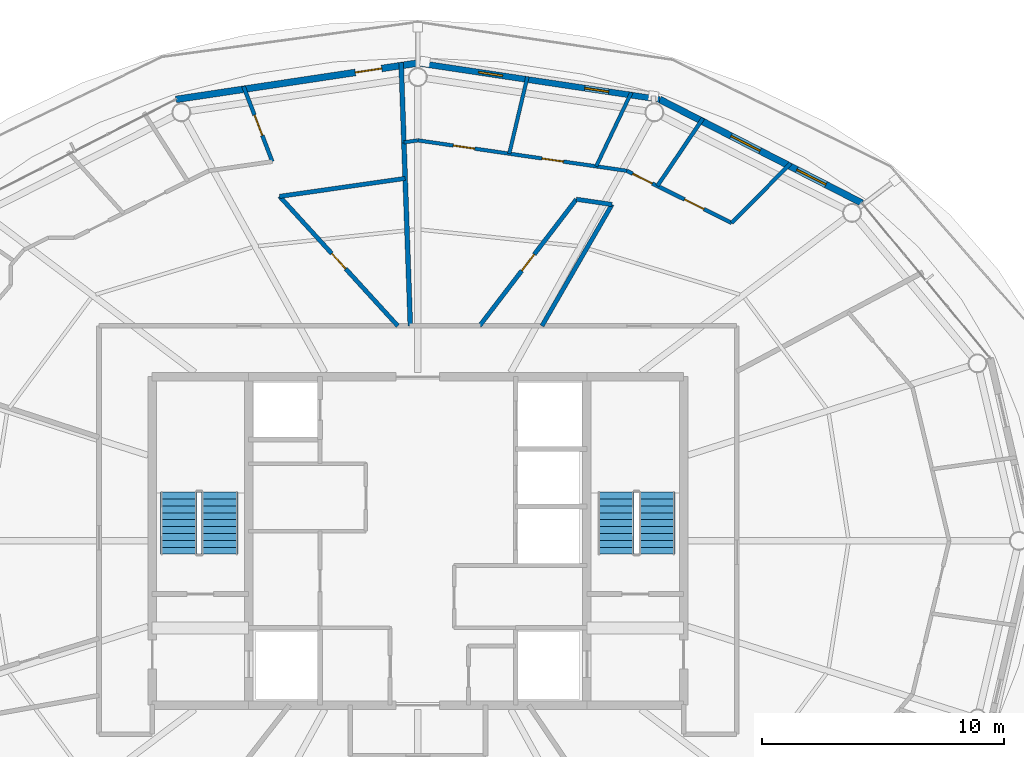
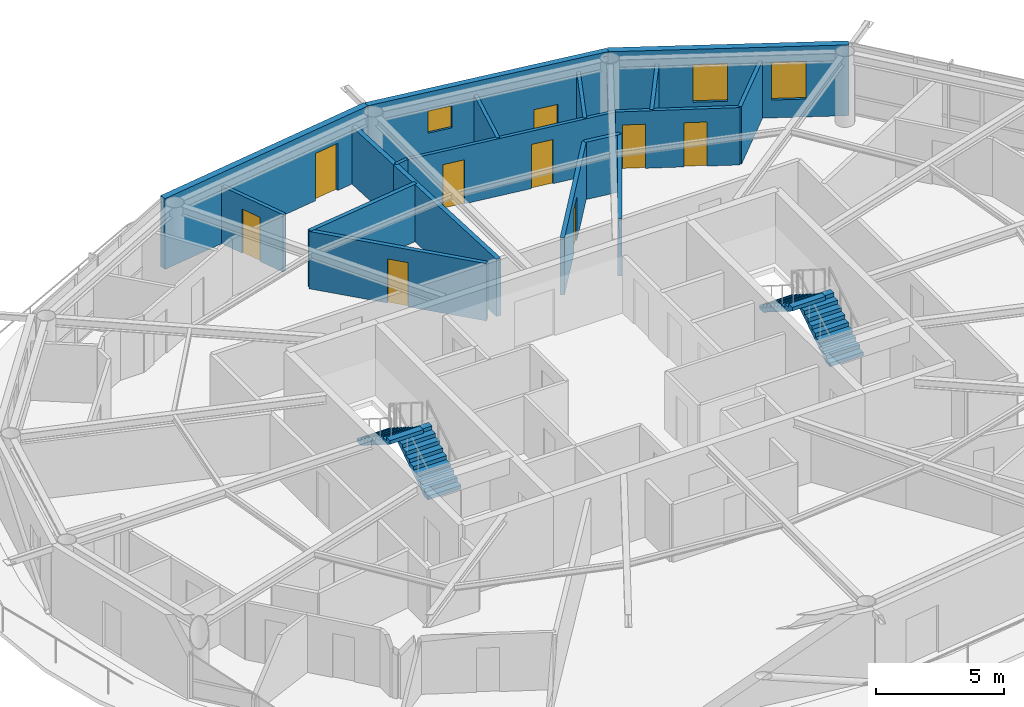
# One storey, part 19 of 22: 18 walls, 8 doors, 4 stair flights, 4 windows, 12 openings, 2 elements without a shape of their own.
"""IFC4 building model written with IfcOpenShell, lengths in metres."""

from ifc_helpers import new_model, si_unit, direction, frame, frame_2d, origin, place, context, subcontext, project, spatial, polyline, rectangle, outline, extrude, material, layer, layer_set, type_object, element, fill, aggregate, save


model = new_model("IFC4")

# Units and contexts
model_context = context("Model", 3, precision=1e-05, world=origin(), true_north=direction((0.0, 1.0)))
body_context = subcontext(model_context, "Body", "Model", "MODEL_VIEW")
ifc_project = project(units=[si_unit("LENGTHUNIT", "METRE"), si_unit("AREAUNIT", "SQUARE_METRE"), si_unit("VOLUMEUNIT", "CUBIC_METRE"), si_unit("PLANEANGLEUNIT", "RADIAN"), si_unit("MASSUNIT", "GRAM", prefix="KILO")], contexts=[model_context])

# Site, building, storey
site_placement = place(None, origin())
site = spatial("IfcSite", under=ifc_project, at=site_placement, CompositionType="ELEMENT")
building_placement = place(site_placement, origin())
building = spatial("IfcBuilding", under=site, at=building_placement, Name="Sarneth Arch Tower", CompositionType="ELEMENT")
storey_placement = place(building_placement, frame((0.0, 0.0, 283.800048828125)))
storey = spatial("IfcBuildingStorey", under=building, at=storey_placement, Name="L73", CompositionType="ELEMENT", Elevation=283.800048828125)

# Wall, openings, windows
ifc_material_1 = material(Name="Extruded terracotta rainscreen on Concrete C40/50 backing", Category="masonry")
ifc_layer_1 = layer(ifc_material_1, 0.25)
ifc_layer_set_1 = layer_set([ifc_layer_1], Name="Extruded terracotta rainscreen on Concrete C40/50 backing")
wall_type_1 = type_object("IfcWallType", Name="WALL-EXT-SPAND-250", PredefinedType="SOLIDWALL", material=ifc_layer_set_1)
wall_1_placement = place(storey_placement, frame((58.0126953125, 60.2744140625, 0.0), z_axis=(0.0, 0.0, 1.0), x_axis=(-0.988882522213, 0.148698881169, 0.0)))
wall_1 = element("IfcWall", 1, at=wall_1_placement, inside=storey, type_object=wall_type_1, Name="L73 Terracotta perimeter wall 04", PredefinedType="SOLIDWALL", context=body_context, shape_type="SweptSolid", body=[
    extrude(rectangle(XDim=10.125244140625, YDim=0.25, at=frame_2d((5.0625, 0.0))), origin(), (0.0, 0.0, 1.0), 3.369873046875),
])
opening_1_placement = place(wall_1_placement, frame((2.1337890625, 0.0, 0.35009765625)))
opening_1 = element("IfcOpeningElement", 2, at=opening_1_placement, cuts=wall_1, Name="Opening W-14", PredefinedType="OPENING", context=body_context, shape_type="SweptSolid", body=[
    extrude(rectangle(XDim=1.0, YDim=1.050048828125, at=frame_2d((0.5, 0.52490234375))), frame((0.0, 0.135009765625, 0.0), z_axis=(0.0, -1.0, 0.0), x_axis=(1.0, 0.0, 0.0)), (0.0, 0.0, 1.0), 0.27001953125),
])
opening_2_placement = place(wall_1_placement, frame((6.58154296875, 0.0, 1.419921875)))
opening_2 = element("IfcOpeningElement", 3, at=opening_2_placement, cuts=wall_1, Name="Opening W-14", PredefinedType="OPENING", context=body_context, shape_type="SweptSolid", body=[
    extrude(rectangle(XDim=1.0, YDim=1.050048828125, at=frame_2d((0.5, 0.52490234375))), frame((0.0, 0.135009765625, 0.0), z_axis=(0.0, -1.0, 0.0), x_axis=(1.0, 0.0, 0.0)), (0.0, 0.0, 1.0), 0.27001953125),
])
ifc_material_2 = material(Name="Thermally broken Aluminium 6063-T6 and low-e laminated IGU", Category="aluminium")
window_type_1 = type_object("IfcWindowType", Name="WIN-TWR-1000x1050", PartitioningType="SINGLE_PANEL", PredefinedType="WINDOW", material=ifc_material_2)
window_1_placement = place(opening_1_placement, origin())
window_1 = element("IfcWindow", 4, at=window_1_placement, inside=storey, type_object=window_type_1, Name="L73 Dwelling bedroom window 01", OverallHeight=1.050048828125, OverallWidth=1.0, PartitioningType="SINGLE_PANEL", PredefinedType="WINDOW", context=body_context, shape_type="SweptSolid", body=[
    extrude(rectangle(XDim=1.0, YDim=1.050048828125, at=frame_2d((0.5, 0.52490234375))), frame((0.0, 0.030029296875, 0.0), z_axis=(0.0, -1.0, 0.0), x_axis=(1.0, 0.0, 0.0)), (0.0, 0.0, 1.0), 0.06005859375),
])
fill(opening_1, window_1)
window_2_placement = place(opening_2_placement, origin())
window_2 = element("IfcWindow", 5, at=window_2_placement, inside=storey, type_object=window_type_1, Name="L73 Dwelling bedroom window 02", OverallHeight=1.050048828125, OverallWidth=1.0, PartitioningType="SINGLE_PANEL", PredefinedType="WINDOW", context=body_context, shape_type="SweptSolid", body=[
    extrude(rectangle(XDim=1.0, YDim=1.050048828125, at=frame_2d((0.5, 0.52490234375))), frame((0.0, 0.030029296875, 0.0), z_axis=(0.0, -1.0, 0.0), x_axis=(1.0, 0.0, 0.0)), (0.0, 0.0, 1.0), 0.06005859375),
])
fill(opening_2, window_2)

ifc_material_3 = material(Name="Extruded terracotta rainscreen on Concrete C40/50 backing", Category="masonry")
ifc_layer_2 = layer(ifc_material_3, 0.280029296875)
ifc_layer_set_2 = layer_set([ifc_layer_2], Name="Extruded terracotta rainscreen on Concrete C40/50 backing")
wall_type_2 = type_object("IfcWallType", Name="WALL-EXT-TERRA-280", PredefinedType="SOLIDWALL", material=ifc_layer_set_2)
wall_2_placement = place(storey_placement, frame((66.382568359375, 55.986572265625, 0.0), z_axis=(0.0, 0.0, 1.0), x_axis=(-0.890007394051, 0.455946091699, 0.0)))
wall_2 = element("IfcWall", 6, at=wall_2_placement, inside=storey, type_object=wall_type_2, Name="L73 Terracotta perimeter wall 03", PredefinedType="SOLIDWALL", context=body_context, shape_type="SweptSolid", body=[
    extrude(rectangle(XDim=9.404296875, YDim=0.280029296875, at=frame_2d((4.7021484375, 0.0))), origin(), (0.0, 0.0, 1.0), 3.369873046875),
])
opening_3_placement = place(wall_2_placement, frame((1.6748046875, 0.0, 0.85009765625)))
opening_3 = element("IfcOpeningElement", 7, at=opening_3_placement, cuts=wall_2, Name="Opening W-08", PredefinedType="OPENING", context=body_context, shape_type="SweptSolid", body=[
    extrude(rectangle(XDim=1.35009765625, YDim=1.800048828125, at=frame_2d((0.675048828125, 0.89990234375))), frame((0.0, 0.14990234375, 0.0), z_axis=(0.0, -1.0, 0.0), x_axis=(1.0, 0.0, 0.0)), (0.0, 0.0, 1.0), 0.300048828125),
])
opening_4_placement = place(wall_2_placement, frame((4.73828125, 0.0, 0.85009765625)))
opening_4 = element("IfcOpeningElement", 8, at=opening_4_placement, cuts=wall_2, Name="Opening W-08", PredefinedType="OPENING", context=body_context, shape_type="SweptSolid", body=[
    extrude(rectangle(XDim=1.35009765625, YDim=1.800048828125, at=frame_2d((0.675048828125, 0.89990234375))), frame((0.0, 0.14990234375, 0.0), z_axis=(0.0, -1.0, 0.0), x_axis=(1.0, 0.0, 0.0)), (0.0, 0.0, 1.0), 0.300048828125),
])
ifc_material_4 = material(Name="Thermally broken Aluminium 6063-T6 and low-e laminated IGU", Category="aluminium")
window_type_2 = type_object("IfcWindowType", Name="WIN-TWR-1350x1800", PartitioningType="SINGLE_PANEL", PredefinedType="WINDOW", material=ifc_material_4)
window_3_placement = place(opening_3_placement, origin())
window_3 = element("IfcWindow", 9, at=window_3_placement, inside=storey, type_object=window_type_2, Name="L73 Exterior window 03A", OverallHeight=1.800048828125, OverallWidth=1.35009765625, PartitioningType="SINGLE_PANEL", PredefinedType="WINDOW", context=body_context, shape_type="SweptSolid", body=[
    extrude(rectangle(XDim=1.35009765625, YDim=1.800048828125, at=frame_2d((0.675048828125, 0.89990234375))), frame((0.0, 0.030029296875, 0.0), z_axis=(0.0, -1.0, 0.0), x_axis=(1.0, 0.0, 0.0)), (0.0, 0.0, 1.0), 0.06005859375),
])
fill(opening_3, window_3)
window_4_placement = place(opening_4_placement, origin())
window_4 = element("IfcWindow", 10, at=window_4_placement, inside=storey, type_object=window_type_2, Name="L73 Exterior window 03B", OverallHeight=1.800048828125, OverallWidth=1.35009765625, PartitioningType="SINGLE_PANEL", PredefinedType="WINDOW", context=body_context, shape_type="SweptSolid", body=[
    extrude(rectangle(XDim=1.35009765625, YDim=1.800048828125, at=frame_2d((0.675048828125, 0.89990234375))), frame((0.0, 0.030029296875, 0.0), z_axis=(0.0, -1.0, 0.0), x_axis=(1.0, 0.0, 0.0)), (0.0, 0.0, 1.0), 0.06005859375),
])
fill(opening_4, window_4)

# Wall, opening, door
wall_3_placement = place(storey_placement, frame((48.0, 61.780029296875, 0.0), z_axis=(0.0, 0.0, 1.0), x_axis=(-0.988882522213, -0.148698881169, 0.0)))
wall_3 = element("IfcWall", 11, at=wall_3_placement, inside=storey, type_object=wall_type_2, Name="L73 Terracotta perimeter wall 05", PredefinedType="SOLIDWALL", context=body_context, shape_type="SweptSolid", body=[
    extrude(rectangle(XDim=10.125244140625, YDim=0.280029296875, at=frame_2d((5.0625, 0.0))), origin(), (0.0, 0.0, 1.0), 3.369873046875),
])
opening_5_placement = place(wall_3_placement, frame((1.51611328125, 0.0, 0.0)))
opening_5 = element("IfcOpeningElement", 12, at=opening_5_placement, cuts=wall_3, Name="Opening BD-3", PredefinedType="OPENING", context=body_context, shape_type="SweptSolid", body=[
    extrude(rectangle(XDim=1.10009765625, YDim=2.25, at=frame_2d((0.550048828125, 1.125))), frame((0.0, 0.14990234375, 0.0), z_axis=(0.0, -1.0, 0.0), x_axis=(1.0, 0.0, 0.0)), (0.0, 0.0, 1.0), 0.300048828125),
])
ifc_material_5 = material(Name="Thermally broken Aluminium 6063-T6 and laminated safety glass", Category="aluminium")
door_type_1 = type_object("IfcDoorType", Name="DR-BALC-GLZ-1100", OperationType="SINGLE_SWING_LEFT", PredefinedType="DOOR", material=ifc_material_5)
door_1_placement = place(opening_5_placement, origin())
door_1 = element("IfcDoor", 13, at=door_1_placement, inside=storey, type_object=door_type_1, Name="L73 Balcony glazed door 05", OperationType="SINGLE_SWING_LEFT", OverallHeight=2.25, OverallWidth=1.10009765625, PredefinedType="DOOR", context=body_context, shape_type="SweptSolid", body=[
    extrude(rectangle(XDim=1.10009765625, YDim=2.25, at=frame_2d((0.550048828125, 1.125))), frame((0.0, 0.02490234375, 0.0), z_axis=(0.0, -1.0, 0.0), x_axis=(1.0, 0.0, 0.0)), (0.0, 0.0, 1.0), 0.050048828125),
])
fill(opening_5, door_1)

# Wall, openings, doors
ifc_material_6 = material(Name="Acoustic gypsum stud partition", Category="gypsum")
ifc_layer_3 = layer(ifc_material_6, 0.14990234375)
ifc_layer_set_3 = layer_set([ifc_layer_3], Name="Acoustic gypsum stud partition")
wall_type_3 = type_object("IfcWallType", Name="WALL-PART-150", PredefinedType="PARTITIONING", material=ifc_layer_set_3)
wall_4_placement = place(storey_placement, frame((48.0, 58.580078125, 0.0), z_axis=(0.0, 0.0, 1.0), x_axis=(0.989536136377, -0.144285254977, 0.0)))
wall_4 = element("IfcWall", 14, at=wall_4_placement, inside=storey, type_object=wall_type_3, Name="L73 Interior partition W-L73-TP-028", PredefinedType="PARTITIONING", context=body_context, shape_type="SweptSolid", body=[
    extrude(rectangle(XDim=8.746337890625, YDim=0.14990234375, at=frame_2d((4.373046875, 0.0))), origin(), (0.0, 0.0, 1.0), 2.72998046875),
])
opening_6_placement = place(wall_4_placement, frame((1.478759765625, 0.0, 0.0)))
opening_6 = element("IfcOpeningElement", 15, at=opening_6_placement, cuts=wall_4, Name="Opening ID-01", PredefinedType="OPENING", context=body_context, shape_type="SweptSolid", body=[
    extrude(rectangle(XDim=0.89990234375, YDim=2.10009765625, at=frame_2d((0.449951171875, 1.050048828125))), frame((0.0, 0.0849609375, 0.0), z_axis=(0.0, -1.0, 0.0), x_axis=(1.0, 0.0, 0.0)), (0.0, 0.0, 1.0), 0.169921875),
])
opening_7_placement = place(wall_4_placement, frame((5.193359375, 0.0, 0.0)))
opening_7 = element("IfcOpeningElement", 16, at=opening_7_placement, cuts=wall_4, Name="Opening ID-01", PredefinedType="OPENING", context=body_context, shape_type="SweptSolid", body=[
    extrude(rectangle(XDim=0.89990234375, YDim=2.10009765625, at=frame_2d((0.449951171875, 1.050048828125))), frame((0.0, 0.0849609375, 0.0), z_axis=(0.0, -1.0, 0.0), x_axis=(1.0, 0.0, 0.0)), (0.0, 0.0, 1.0), 0.169921875),
])
ifc_material_7 = material(Name="Engineered hardwood flush door", Category="wood")
door_type_2 = type_object("IfcDoorType", Name="DR-INT-900", OperationType="SINGLE_SWING_LEFT", PredefinedType="DOOR", material=ifc_material_7)
door_2_placement = place(opening_6_placement, origin())
door_2 = element("IfcDoor", 17, at=door_2_placement, inside=storey, type_object=door_type_2, Name="L73 Interior door DR-L73-U1-BED2", OperationType="SINGLE_SWING_LEFT", OverallHeight=2.10009765625, OverallWidth=0.89990234375, PredefinedType="DOOR", context=body_context, shape_type="SweptSolid", body=[
    extrude(rectangle(XDim=0.89990234375, YDim=2.10009765625, at=frame_2d((0.449951171875, 1.050048828125))), frame((0.0, 0.02490234375, 0.0), z_axis=(0.0, -1.0, 0.0), x_axis=(1.0, 0.0, 0.0)), (0.0, 0.0, 1.0), 0.050048828125),
])
fill(opening_6, door_2)
door_3_placement = place(opening_7_placement, origin())
door_3 = element("IfcDoor", 18, at=door_3_placement, inside=storey, type_object=door_type_2, Name="L73 Interior door DR-L73-U1-BED1", OperationType="SINGLE_SWING_RIGHT", OverallHeight=2.10009765625, OverallWidth=0.89990234375, PredefinedType="DOOR", context=body_context, shape_type="SweptSolid", body=[
    extrude(rectangle(XDim=0.89990234375, YDim=2.10009765625, at=frame_2d((0.449951171875, 1.050048828125))), frame((0.0, 0.02490234375, 0.0), z_axis=(0.0, -1.0, 0.0), x_axis=(1.0, 0.0, 0.0)), (0.0, 0.0, 1.0), 0.050048828125),
])
fill(opening_7, door_3)

# Walls
wall_5_placement = place(storey_placement, frame((56.842041015625, 60.56640625, 0.0), z_axis=(0.0, 0.0, 1.0), x_axis=(-0.429975480416, -0.902840565239, 0.0)))
element("IfcWall", 19, at=wall_5_placement, inside=storey, type_object=wall_type_3, Name="L73 Interior partition W-L73-TP-034", PredefinedType="PARTITIONING", context=body_context, shape_type="SweptSolid", body=[
    extrude(rectangle(XDim=3.392578125, YDim=0.14990234375, at=frame_2d((1.6962890625, 0.0))), origin(), (0.0, 0.0, 1.0), 2.72998046875),
])
wall_6_placement = place(storey_placement, frame((51.78515625, 58.028076171875, 0.0), z_axis=(0.0, 0.0, 1.0), x_axis=(0.2298279545, 0.973231273301, 0.0)))
element("IfcWall", 20, at=wall_6_placement, inside=storey, type_object=wall_type_3, Name="L73 Interior partition W-L73-TP-035", PredefinedType="PARTITIONING", context=body_context, shape_type="SweptSolid", body=[
    extrude(rectangle(XDim=3.278076171875, YDim=0.14990234375, at=frame_2d((1.63916015625, 0.0))), origin(), (0.0, 0.0, 1.0), 2.72998046875),
])
wall_7_placement = place(storey_placement, frame((47.424072265625, 58.49609375, 0.0), z_axis=(0.0, 0.0, 1.0), x_axis=(0.989534228924, 0.144298336053, 0.0)))
element("IfcWall", 21, at=wall_7_placement, inside=storey, type_object=wall_type_3, Name="L73 Interior partition W-L73-TP-027", PredefinedType="PARTITIONING", context=body_context, shape_type="SweptSolid", body=[
    extrude(rectangle(XDim=0.58203125, YDim=0.14990234375, at=frame_2d((0.291015625, 0.0))), origin(), (0.0, 0.0, 1.0), 2.72998046875),
])

# Wall, openings, doors
ifc_material_8 = material(Name="Kitchen wet service chase wall", Category="gypsum")
ifc_layer_4 = layer(ifc_material_8, 0.159912109375)
ifc_layer_set_4 = layer_set([ifc_layer_4], Name="Kitchen wet service chase wall")
wall_type_4 = type_object("IfcWallType", Name="WALL-PLUMB-160", PredefinedType="PLUMBINGWALL", material=ifc_layer_set_4)
wall_8_placement = place(storey_placement, frame((56.65478515625, 57.318115234375, 0.0), z_axis=(0.0, 0.0, 1.0), x_axis=(0.895572412961, -0.44491578208, 0.0)))
wall_8 = element("IfcWall", 22, at=wall_8_placement, inside=storey, type_object=wall_type_4, Name="L73 Interior partition W-L73-TP-021", PredefinedType="PLUMBINGWALL", context=body_context, shape_type="SweptSolid", body=[
    extrude(rectangle(XDim=4.84814453125, YDim=0.159912109375, at=frame_2d((2.424072265625, 0.0))), origin(), (0.0, 0.0, 1.0), 2.72998046875),
])
opening_8_placement = place(wall_8_placement, frame((2.66162109375, 0.0, 0.0)))
opening_8 = element("IfcOpeningElement", 23, at=opening_8_placement, cuts=wall_8, Name="Opening ID-01", PredefinedType="OPENING", context=body_context, shape_type="SweptSolid", body=[
    extrude(rectangle(XDim=0.89990234375, YDim=2.10009765625, at=frame_2d((0.449951171875, 1.050048828125))), frame((0.0, 0.08984375, 0.0), z_axis=(0.0, -1.0, 0.0), x_axis=(1.0, 0.0, 0.0)), (0.0, 0.0, 1.0), 0.179931640625),
])
opening_9_placement = place(wall_8_placement, frame((0.27001953125, 0.0, 0.0)))
opening_9 = element("IfcOpeningElement", 24, at=opening_9_placement, cuts=wall_8, Name="Opening ID-01", PredefinedType="OPENING", context=body_context, shape_type="SweptSolid", body=[
    extrude(rectangle(XDim=0.89990234375, YDim=2.10009765625, at=frame_2d((0.449951171875, 1.050048828125))), frame((0.0, 0.08984375, 0.0), z_axis=(0.0, -1.0, 0.0), x_axis=(1.0, 0.0, 0.0)), (0.0, 0.0, 1.0), 0.179931640625),
])
door_4_placement = place(opening_8_placement, origin())
door_4 = element("IfcDoor", 25, at=door_4_placement, inside=storey, type_object=door_type_2, Name="L73 Interior door DR-L73-U1-KIT", OperationType="SINGLE_SWING_LEFT", OverallHeight=2.10009765625, OverallWidth=0.89990234375, PredefinedType="DOOR", context=body_context, shape_type="SweptSolid", body=[
    extrude(rectangle(XDim=0.89990234375, YDim=2.10009765625, at=frame_2d((0.449951171875, 1.050048828125))), frame((0.0, 0.02490234375, 0.0), z_axis=(0.0, -1.0, 0.0), x_axis=(1.0, 0.0, 0.0)), (0.0, 0.0, 1.0), 0.050048828125),
])
fill(opening_8, door_4)
door_5_placement = place(opening_9_placement, origin())
door_5 = element("IfcDoor", 26, at=door_5_placement, inside=storey, type_object=door_type_2, Name="L73 Interior door DR-L73-U1-STD", OperationType="SINGLE_SWING_LEFT", OverallHeight=2.10009765625, OverallWidth=0.89990234375, PredefinedType="DOOR", context=body_context, shape_type="SweptSolid", body=[
    extrude(rectangle(XDim=0.89990234375, YDim=2.10009765625, at=frame_2d((0.449951171875, 1.050048828125))), frame((0.0, 0.02490234375, 0.0), z_axis=(0.0, -1.0, 0.0), x_axis=(1.0, 0.0, 0.0)), (0.0, 0.0, 1.0), 0.050048828125),
])
fill(opening_9, door_5)

# Walls
wall_9_placement = place(storey_placement, frame((60.99658203125, 55.1611328125, 0.0), z_axis=(0.0, 0.0, 1.0), x_axis=(0.702618919802, 0.711566338113, 0.0)))
element("IfcWall", 27, at=wall_9_placement, inside=storey, type_object=wall_type_4, Name="L73 Interior partition W-L73-TP-022", PredefinedType="PLUMBINGWALL", context=body_context, shape_type="SweptSolid", body=[
    extrude(rectangle(XDim=3.46533203125, YDim=0.159912109375, at=frame_2d((1.732666015625, 0.0))), origin(), (0.0, 0.0, 1.0), 2.72998046875),
])
wall_10_placement = place(storey_placement, frame((59.804443359375, 59.490234375, 0.0), z_axis=(0.0, 0.0, 1.0), x_axis=(-0.559397095435, -0.828899806743, 0.0)))
element("IfcWall", 28, at=wall_10_placement, inside=storey, type_object=wall_type_4, Name="L73 Interior partition W-L73-TP-033", PredefinedType="PLUMBINGWALL", context=body_context, shape_type="SweptSolid", body=[
    extrude(rectangle(XDim=3.376220703125, YDim=0.159912109375, at=frame_2d((1.68798828125, 0.0))), origin(), (0.0, 0.0, 1.0), 2.72998046875),
])

# Wall, opening, door
wall_11_placement = place(storey_placement, frame((41.9765625, 57.70166015625, 0.0), z_axis=(0.0, 0.0, 1.0), x_axis=(-0.358154229758, 0.933662437772, 0.0)))
wall_11 = element("IfcWall", 29, at=wall_11_placement, inside=storey, type_object=wall_type_4, Name="L73 Interior partition W-L73-TP-040", PredefinedType="PLUMBINGWALL", context=body_context, shape_type="SweptSolid", body=[
    extrude(rectangle(XDim=3.332763671875, YDim=0.159912109375, at=frame_2d((1.66650390625, 0.0))), origin(), (0.0, 0.0, 1.0), 2.72998046875),
])
opening_10_placement = place(wall_11_placement, frame((1.156494140625, 0.0, 0.0)))
opening_10 = element("IfcOpeningElement", 30, at=opening_10_placement, cuts=wall_11, Name="Opening ID-01", PredefinedType="OPENING", context=body_context, shape_type="SweptSolid", body=[
    extrude(rectangle(XDim=0.89990234375, YDim=2.10009765625, at=frame_2d((0.449951171875, 1.050048828125))), frame((0.0, 0.08984375, 0.0), z_axis=(0.0, -1.0, 0.0), x_axis=(1.0, 0.0, 0.0)), (0.0, 0.0, 1.0), 0.179931640625),
])
door_6_placement = place(opening_10_placement, origin())
door_6 = element("IfcDoor", 31, at=door_6_placement, inside=storey, type_object=door_type_2, Name="L73 Interior door DR-L73-U2-KIT", OperationType="SINGLE_SWING_RIGHT", OverallHeight=2.10009765625, OverallWidth=0.89990234375, PredefinedType="DOOR", context=body_context, shape_type="SweptSolid", body=[
    extrude(rectangle(XDim=0.89990234375, YDim=2.10009765625, at=frame_2d((0.449951171875, 1.050048828125))), frame((0.0, 0.02490234375, 0.0), z_axis=(0.0, -1.0, 0.0), x_axis=(1.0, 0.0, 0.0)), (0.0, 0.0, 1.0), 0.050048828125),
])
fill(opening_10, door_6)

ifc_material_9 = material(Name="Moisture-resistant plumbing chase wall", Category="gypsum")
ifc_layer_5 = layer(ifc_material_9, 0.179931640625)
ifc_layer_set_5 = layer_set([ifc_layer_5], Name="Moisture-resistant plumbing chase wall")
wall_type_5 = type_object("IfcWallType", Name="WALL-PLUMB-180", PredefinedType="PLUMBINGWALL", material=ifc_layer_set_5)
wall_12_placement = place(storey_placement, frame((42.277587890625, 56.26123046875, 0.0), z_axis=(0.0, 0.0, 1.0), x_axis=(0.674096276867, -0.73864349284, 0.0)))
wall_12 = element("IfcWall", 32, at=wall_12_placement, inside=storey, type_object=wall_type_5, Name="L73 Interior partition W-L73-TP-042", PredefinedType="PLUMBINGWALL", context=body_context, shape_type="SweptSolid", body=[
    extrude(rectangle(XDim=7.25830078125, YDim=0.179931640625, at=frame_2d((3.629150390625, 0.0))), origin(), (0.0, 0.0, 1.0), 2.72998046875),
])
opening_11_placement = place(wall_12_placement, frame((3.2041015625, 0.0, 0.0)))
opening_11 = element("IfcOpeningElement", 33, at=opening_11_placement, cuts=wall_12, Name="Opening ID-02", PredefinedType="OPENING", context=body_context, shape_type="SweptSolid", body=[
    extrude(rectangle(XDim=0.85009765625, YDim=2.10009765625, at=frame_2d((0.425048828125, 1.050048828125))), frame((0.0, 0.099853515625, 0.0), z_axis=(0.0, -1.0, 0.0), x_axis=(1.0, 0.0, 0.0)), (0.0, 0.0, 1.0), 0.199951171875),
])
ifc_material_10 = material(Name="Moisture-resistant bathroom timber door", Category="wood")
door_type_3 = type_object("IfcDoorType", Name="DR-INT-850", OperationType="SINGLE_SWING_RIGHT", PredefinedType="DOOR", material=ifc_material_10)
door_7_placement = place(opening_11_placement, origin())
door_7 = element("IfcDoor", 34, at=door_7_placement, inside=storey, type_object=door_type_3, Name="L73 Interior door DR-L73-U2-BATH", OperationType="SINGLE_SWING_LEFT", OverallHeight=2.10009765625, OverallWidth=0.85009765625, PredefinedType="DOOR", context=body_context, shape_type="SweptSolid", body=[
    extrude(rectangle(XDim=0.85009765625, YDim=2.10009765625, at=frame_2d((0.425048828125, 1.050048828125))), frame((0.0, 0.02490234375, 0.0), z_axis=(0.0, -1.0, 0.0), x_axis=(1.0, 0.0, 0.0)), (0.0, 0.0, 1.0), 0.050048828125),
])
fill(opening_11, door_7)

wall_13_placement = place(storey_placement, frame((54.563720703125, 56.14111328125, 0.0), z_axis=(0.0, 0.0, 1.0), x_axis=(-0.607456974677, -0.794352581614, 0.0)))
wall_13 = element("IfcWall", 35, at=wall_13_placement, inside=storey, type_object=wall_type_5, Name="L73 Interior partition W-L73-TP-025", PredefinedType="PLUMBINGWALL", context=body_context, shape_type="SweptSolid", body=[
    extrude(rectangle(XDim=6.59814453125, YDim=0.179931640625, at=frame_2d((3.299072265625, 0.0))), origin(), (0.0, 0.0, 1.0), 2.72998046875),
])
opening_12_placement = place(wall_13_placement, frame((2.8740234375, 0.0, 0.0)))
opening_12 = element("IfcOpeningElement", 36, at=opening_12_placement, cuts=wall_13, Name="Opening ID-02", PredefinedType="OPENING", context=body_context, shape_type="SweptSolid", body=[
    extrude(rectangle(XDim=0.85009765625, YDim=2.10009765625, at=frame_2d((0.425048828125, 1.050048828125))), frame((0.0, 0.099853515625, 0.0), z_axis=(0.0, -1.0, 0.0), x_axis=(1.0, 0.0, 0.0)), (0.0, 0.0, 1.0), 0.199951171875),
])
door_8_placement = place(opening_12_placement, origin())
door_8 = element("IfcDoor", 37, at=door_8_placement, inside=storey, type_object=door_type_3, Name="L73 Interior door DR-L73-U1-BATH", OperationType="SINGLE_SWING_LEFT", OverallHeight=2.10009765625, OverallWidth=0.85009765625, PredefinedType="DOOR", context=body_context, shape_type="SweptSolid", body=[
    extrude(rectangle(XDim=0.85009765625, YDim=2.10009765625, at=frame_2d((0.425048828125, 1.050048828125))), frame((0.0, 0.02490234375, 0.0), z_axis=(0.0, -1.0, 0.0), x_axis=(1.0, 0.0, 0.0)), (0.0, 0.0, 1.0), 0.050048828125),
])
fill(opening_12, door_8)

# Walls
wall_14_placement = place(storey_placement, frame((53.138427734375, 50.89990234375, 0.0), z_axis=(0.0, 0.0, 1.0), x_axis=(0.499985927882, 0.866033528173, 0.0)))
element("IfcWall", 38, at=wall_14_placement, inside=storey, type_object=wall_type_5, Name="L73 Interior partition W-L73-TP-023", PredefinedType="PLUMBINGWALL", context=body_context, shape_type="SweptSolid", body=[
    extrude(rectangle(XDim=5.802001953125, YDim=0.179931640625, at=frame_2d((2.90087890625, 0.0))), origin(), (0.0, 0.0, 1.0), 2.72998046875),
])
wall_15_placement = place(storey_placement, frame((47.47607421875, 57.0048828125, 0.0), z_axis=(0.0, 0.0, 1.0), x_axis=(-0.989922511169, -0.141610105153, 0.0)))
element("IfcWall", 39, at=wall_15_placement, inside=storey, type_object=wall_type_5, Name="L73 Interior partition W-L73-TP-041", PredefinedType="PLUMBINGWALL", context=body_context, shape_type="SweptSolid", body=[
    extrude(rectangle(XDim=5.25146484375, YDim=0.179931640625, at=frame_2d((2.625732421875, 0.0))), origin(), (0.0, 0.0, 1.0), 2.72998046875),
])
wall_16_placement = place(storey_placement, frame((56.039306640625, 55.924560546875, 0.0), z_axis=(0.0, 0.0, 1.0), x_axis=(-0.989402061703, 0.14520179165, 0.0)))
element("IfcWall", 40, at=wall_16_placement, inside=storey, type_object=wall_type_5, Name="L73 Interior partition W-L73-TP-024", PredefinedType="PLUMBINGWALL", context=body_context, shape_type="SweptSolid", body=[
    extrude(rectangle(XDim=1.491455078125, YDim=0.179931640625, at=frame_2d((0.74560546875, 0.0))), origin(), (0.0, 0.0, 1.0), 2.72998046875),
])
ifc_material_11 = material(Name="Double steel-stud acoustic drywall", Category="steel")
ifc_layer_6 = layer(ifc_material_11, 0.199951171875)
ifc_layer_set_6 = layer_set([ifc_layer_6], Name="Double steel-stud acoustic drywall")
wall_type_6 = type_object("IfcWallType", Name="WALL-UNIT-200", PredefinedType="PARTITIONING", material=ifc_layer_set_6)
wall_17_placement = place(storey_placement, frame((47.689208984375, 50.89990234375, 0.0), z_axis=(0.0, 0.0, 1.0), x_axis=(-0.034882659784, 0.999391414835, 0.0)))
element("IfcWall", 41, at=wall_17_placement, inside=storey, type_object=wall_type_6, Name="L73 Interior partition W-L73-TP-030", PredefinedType="PARTITIONING", context=body_context, shape_type="SweptSolid", body=[
    extrude(rectangle(XDim=7.600830078125, YDim=0.199951171875, at=frame_2d((3.80029296875, 0.0))), origin(), (0.0, 0.0, 1.0), 2.72998046875),
])
wall_18_placement = place(storey_placement, frame((47.30859375, 61.796630859375, 0.0), z_axis=(0.0, 0.0, 1.0), x_axis=(0.034921182562, -0.999390069497, 0.0)))
element("IfcWall", 42, at=wall_18_placement, inside=storey, type_object=wall_type_6, Name="L73 Interior partition W-L73-TP-036", PredefinedType="PARTITIONING", context=body_context, shape_type="SweptSolid", body=[
    extrude(rectangle(XDim=3.334716796875, YDim=0.199951171875, at=frame_2d((1.66748046875, 0.0))), origin(), (0.0, 0.0, 1.0), 2.72998046875),
])

# Stair, stair flights
ifc_material_12 = material(Name="Concrete C50/60", Category="concrete")
stair_type = type_object("IfcStairType", Name="STAIR-CORE-RC", PredefinedType="HALF_TURN_STAIR", material=ifc_material_12)
stair_1_placement = place(storey_placement, origin())
stair_1 = element("IfcStair", 43, at=stair_1_placement, inside=storey, type_object=stair_type, Name="L73 Core Exit Stair 1", PredefinedType="HALF_TURN_STAIR")
ifc_material_13 = material(Name="Concrete C50/60", Category="concrete")
stair_flight_type = type_object("IfcStairFlightType", Name="FLIGHT-RC-1500", PredefinedType="STRAIGHT", material=ifc_material_13)
stair_flight_1_placement = place(storey_placement, frame((39.800048828125, 41.449951171875, 0.0), z_axis=(0.0, 0.0, 1.0), x_axis=(0.0, 1.0, 0.0)))
stair_flight_1 = element("IfcStairFlight", 44, at=stair_flight_1_placement, type_object=stair_flight_type, Name="ST-1 flight 1", NumberOfRisers=10, NumberOfTreads=9, PredefinedType="STRAIGHT", RiserHeight=0.18, TreadLength=0.285, context=body_context, shape_type="SweptSolid", body=[
    extrude(outline(polyline([(0.0, 0.0), (0.0, 0.179931640625), (0.284912109375, 0.179931640625), (0.284912109375, 0.360107421875), (0.570068359375, 0.360107421875), (0.570068359375, 0.5400390625), (0.85498046875, 0.5400390625), (0.85498046875, 0.719970703125), (1.139892578125, 0.719970703125), (1.139892578125, 0.89990234375), (1.425048828125, 0.89990234375), (1.425048828125, 1.080078125), (1.7099609375, 1.080078125), (1.7099609375, 1.260009765625), (1.9951171875, 1.260009765625), (1.9951171875, 1.43994140625), (2.280029296875, 1.43994140625), (2.280029296875, 1.6201171875), (2.56494140625, 1.6201171875), (2.56494140625, 1.800048828125), (2.56494140625, 1.442626953125), (0.28076171875, 0.0), (0.0, 0.0)])), frame((0.0, 0.75, 0.0), z_axis=(0.0, -1.0, 0.0), x_axis=(1.0, 0.0, 0.0)), (0.0, 0.0, 1.0), 1.5),
])
stair_flight_2_placement = place(storey_placement, frame((38.10009765625, 44.014892578125, 1.800048828125), z_axis=(0.0, 0.0, 1.0), x_axis=(0.0, -1.0, 0.0)))
stair_flight_2 = element("IfcStairFlight", 45, at=stair_flight_2_placement, type_object=stair_flight_type, Name="ST-1 flight 2", NumberOfRisers=10, NumberOfTreads=9, PredefinedType="STRAIGHT", RiserHeight=0.18, TreadLength=0.285, context=body_context, shape_type="SweptSolid", body=[
    extrude(outline(polyline([(0.0, 0.0), (0.0, 0.179931640625), (0.284912109375, 0.179931640625), (0.284912109375, 0.360107421875), (0.570068359375, 0.360107421875), (0.570068359375, 0.5400390625), (0.85498046875, 0.5400390625), (0.85498046875, 0.719970703125), (1.139892578125, 0.719970703125), (1.139892578125, 0.89990234375), (1.425048828125, 0.89990234375), (1.425048828125, 1.080078125), (1.7099609375, 1.080078125), (1.7099609375, 1.260009765625), (1.9951171875, 1.260009765625), (1.9951171875, 1.43994140625), (2.280029296875, 1.43994140625), (2.280029296875, 1.6201171875), (2.56494140625, 1.6201171875), (2.56494140625, 1.800048828125), (2.56494140625, 1.442626953125), (0.28076171875, 0.0), (0.0, 0.0)])), frame((0.0, 0.75, 0.0), z_axis=(0.0, -1.0, 0.0), x_axis=(1.0, 0.0, 0.0)), (0.0, 0.0, 1.0), 1.5),
])
aggregate(stair_1, [stair_flight_1, stair_flight_2])

stair_2_placement = place(storey_placement, origin())
stair_2 = element("IfcStair", 46, at=stair_2_placement, inside=storey, type_object=stair_type, Name="L73 Core Exit Stair 2", PredefinedType="HALF_TURN_STAIR")
stair_flight_3_placement = place(storey_placement, frame((57.89990234375, 41.449951171875, 0.0), z_axis=(0.0, 0.0, 1.0), x_axis=(0.0, 1.0, 0.0)))
stair_flight_3 = element("IfcStairFlight", 47, at=stair_flight_3_placement, type_object=stair_flight_type, Name="ST-2 flight 1", NumberOfRisers=10, NumberOfTreads=9, PredefinedType="STRAIGHT", RiserHeight=0.18, TreadLength=0.285, context=body_context, shape_type="SweptSolid", body=[
    extrude(outline(polyline([(0.0, 0.0), (0.0, 0.179931640625), (0.284912109375, 0.179931640625), (0.284912109375, 0.360107421875), (0.570068359375, 0.360107421875), (0.570068359375, 0.5400390625), (0.85498046875, 0.5400390625), (0.85498046875, 0.719970703125), (1.139892578125, 0.719970703125), (1.139892578125, 0.89990234375), (1.425048828125, 0.89990234375), (1.425048828125, 1.080078125), (1.7099609375, 1.080078125), (1.7099609375, 1.260009765625), (1.9951171875, 1.260009765625), (1.9951171875, 1.43994140625), (2.280029296875, 1.43994140625), (2.280029296875, 1.6201171875), (2.56494140625, 1.6201171875), (2.56494140625, 1.800048828125), (2.56494140625, 1.442626953125), (0.28076171875, 0.0), (0.0, 0.0)])), frame((0.0, 0.75, 0.0), z_axis=(0.0, -1.0, 0.0), x_axis=(1.0, 0.0, 0.0)), (0.0, 0.0, 1.0), 1.5),
])
stair_flight_4_placement = place(storey_placement, frame((56.199951171875, 44.014892578125, 1.800048828125), z_axis=(0.0, 0.0, 1.0), x_axis=(0.0, -1.0, 0.0)))
stair_flight_4 = element("IfcStairFlight", 48, at=stair_flight_4_placement, type_object=stair_flight_type, Name="ST-2 flight 2", NumberOfRisers=10, NumberOfTreads=9, PredefinedType="STRAIGHT", RiserHeight=0.18, TreadLength=0.285, context=body_context, shape_type="SweptSolid", body=[
    extrude(outline(polyline([(0.0, 0.0), (0.0, 0.179931640625), (0.284912109375, 0.179931640625), (0.284912109375, 0.360107421875), (0.570068359375, 0.360107421875), (0.570068359375, 0.5400390625), (0.85498046875, 0.5400390625), (0.85498046875, 0.719970703125), (1.139892578125, 0.719970703125), (1.139892578125, 0.89990234375), (1.425048828125, 0.89990234375), (1.425048828125, 1.080078125), (1.7099609375, 1.080078125), (1.7099609375, 1.260009765625), (1.9951171875, 1.260009765625), (1.9951171875, 1.43994140625), (2.280029296875, 1.43994140625), (2.280029296875, 1.6201171875), (2.56494140625, 1.6201171875), (2.56494140625, 1.800048828125), (2.56494140625, 1.442626953125), (0.28076171875, 0.0), (0.0, 0.0)])), frame((0.0, 0.75, 0.0), z_axis=(0.0, -1.0, 0.0), x_axis=(1.0, 0.0, 0.0)), (0.0, 0.0, 1.0), 1.5),
])
aggregate(stair_2, [stair_flight_3, stair_flight_4])

save(model, "model.ifc")
